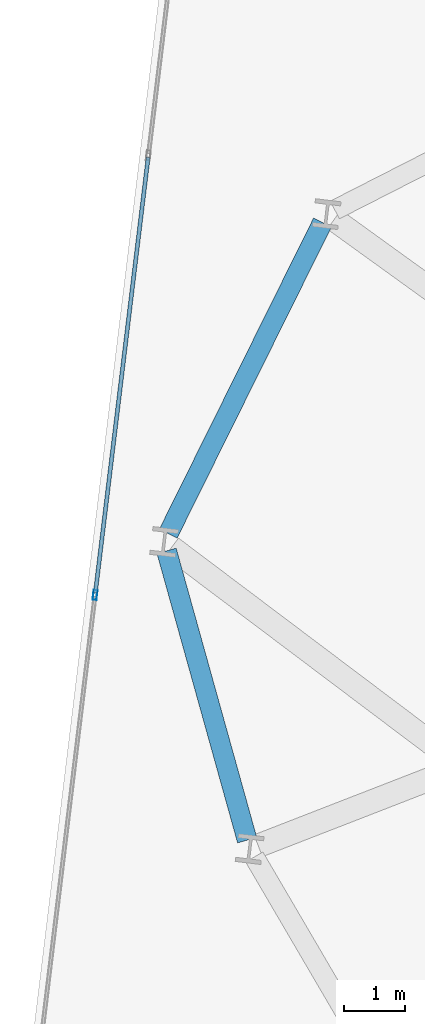
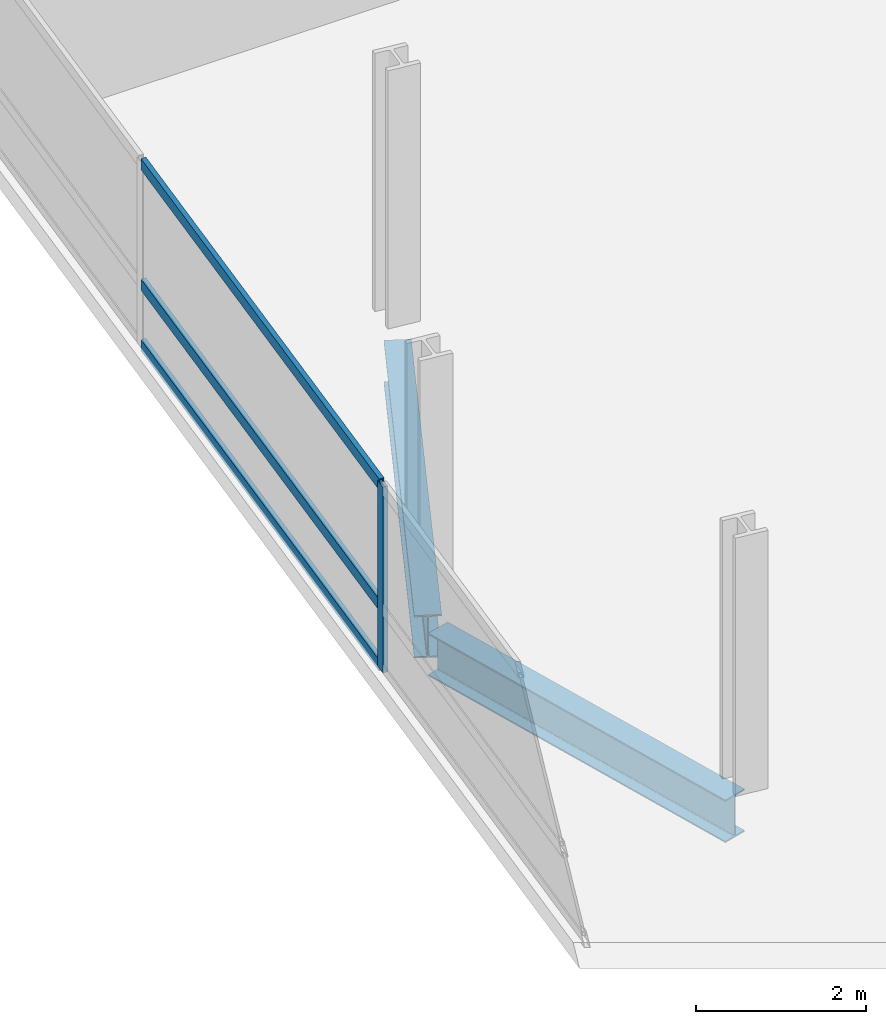
# One storey, part 8 of 26: 4 members, 2 beams, 1 element without a shape of its own.
"""IFC4 building model written with IfcOpenShell, lengths in metres."""

from ifc_helpers import new_model, si_unit, direction, frame, origin, origin_2d, place, context, subcontext, project, spatial, hollow_rectangle, i_section, extrude, material, layer, layer_set, material_profile, profile_set, type_object, element, aggregate, save


model = new_model("IFC4")

# Units and contexts
model_context = context("Model", 3, precision=1e-05, world=origin(), true_north=direction((0.0, 1.0)))
body_context = subcontext(model_context, "Body", "Model", "MODEL_VIEW")
ifc_project = project(units=[si_unit("LENGTHUNIT", "METRE"), si_unit("AREAUNIT", "SQUARE_METRE"), si_unit("VOLUMEUNIT", "CUBIC_METRE"), si_unit("PLANEANGLEUNIT", "RADIAN"), si_unit("MASSUNIT", "GRAM", prefix="KILO")], contexts=[model_context])

# Site, building, storey
site_placement = place(None, origin())
site = spatial("IfcSite", under=ifc_project, at=site_placement, CompositionType="ELEMENT")
building_placement = place(site_placement, origin())
building = spatial("IfcBuilding", under=site, at=building_placement, Name="Varnelok Gate Tower", CompositionType="ELEMENT")
storey_placement = place(building_placement, frame((0.0, 0.0, 158.699951171875)))
storey = spatial("IfcBuildingStorey", under=building, at=storey_placement, Name="L40", CompositionType="ELEMENT", Elevation=158.699951171875)

# Beams
ifc_material_1 = material(Name="Structural Steel ASTM A992 Grade 50", Category="steel")
ifc_material_profile_1 = material_profile(ifc_material_1, i_section(OverallWidth=0.323974609375, OverallDepth=0.611083984375, WebThickness=0.0126953125, FlangeThickness=0.01904296875, FilletRadius=0.01806640625, at=origin_2d()), Name="W24X104")
ifc_profile_set_1 = profile_set([ifc_material_profile_1], Name="Structural Steel ASTM A992 Grade 50")
beam_type = type_object("IfcBeamType", Name="BM-SPN-W24X104", PredefinedType="SPANDREL", material=ifc_profile_set_1)
beam_1_placement = place(storey_placement, frame((6.54052734375, 39.391357421875, -0.555419921875), z_axis=(-0.444186129993, -0.89593452993, 0.0), x_axis=(0.89593452993, -0.444186129993, 0.0)))
element("IfcBeam", 1, at=beam_1_placement, inside=storey, type_object=beam_type, Name="L40 Perimeter Spandrel Beam 14", PredefinedType="SPANDREL", context=body_context, shape_type="SweptSolid", body=[
    extrude(i_section(OverallWidth=0.323974609375, OverallDepth=0.611083984375, WebThickness=0.0126953125, FlangeThickness=0.01904296875, FilletRadius=0.01806640625, at=origin_2d()), origin(), (0.0, 0.0, 1.0), 5.649658203125),
])
beam_2_placement = place(storey_placement, frame((4.004638671875, 34.050537109375, -0.555419921875), z_axis=(0.268350251133, -0.963321411948, 0.0), x_axis=(0.963321411948, 0.268350251133, 0.0)))
element("IfcBeam", 2, at=beam_2_placement, inside=storey, type_object=beam_type, Name="L40 Perimeter Spandrel Beam 15", PredefinedType="SPANDREL", context=body_context, shape_type="SweptSolid", body=[
    extrude(i_section(OverallWidth=0.323974609375, OverallDepth=0.611083984375, WebThickness=0.0126953125, FlangeThickness=0.01904296875, FilletRadius=0.01806640625, at=origin_2d()), origin(), (0.0, 0.0, 1.0), 4.8837890625),
])

# Curtain wall, members
ifc_material_2 = material(Name="Anodized Aluminum Alloy 6063-T6", Category="aluminium")
ifc_layer = layer(ifc_material_2, 0.179931640625)
ifc_layer_set = layer_set([ifc_layer], Name="Anodized Aluminum Alloy 6063-T6")
curtain_wall_type = type_object("IfcCurtainWallType", Name="CW3-HOTEL-VISION", PredefinedType="USERDEFINED", material=ifc_layer_set)
curtain_wall_placement = place(storey_placement, origin())
curtain_wall = element("IfcCurtainWall", 3, at=curtain_wall_placement, inside=storey, type_object=curtain_wall_type, Name="L40 West End Vision Curtain Wall", ObjectType="UNITISED CURTAIN WALL", PredefinedType="USERDEFINED")
ifc_material_profile_2 = material_profile(ifc_material_2, hollow_rectangle(XDim=0.06494140625, YDim=0.159912109375, WallThickness=0.00390625, at=origin_2d()), Name="ALU160X65X4")
ifc_profile_set_2 = profile_set([ifc_material_profile_2], Name="Anodized Aluminum Alloy 6063-T6")
member_type_1 = type_object("IfcMemberType", Name="CW-MULL-160", PredefinedType="MULLION", material=ifc_profile_set_2)
member_1_placement = place(storey_placement, frame((2.842529296875, 33.333740234375, 0.0), z_axis=(0.0, 0.0, 1.0), x_axis=(-0.99273188146, 0.120347046212, 0.0)))
member_1 = element("IfcMember", 4, at=member_1_placement, type_object=member_type_1, Name="CW3 mullion 4", PredefinedType="MULLION", context=body_context, shape_type="SweptSolid", body=[
    extrude(hollow_rectangle(XDim=0.06494140625, YDim=0.159912109375, WallThickness=0.00390625, at=origin_2d()), origin(), (0.0, 0.0, 1.0), 2.66015625),
])
ifc_material_profile_3 = material_profile(ifc_material_2, hollow_rectangle(XDim=0.06494140625, YDim=0.159912109375, WallThickness=0.00390625, at=origin_2d()), Name="ALU160X65X4")
ifc_profile_set_3 = profile_set([ifc_material_profile_3], Name="Anodized Aluminum Alloy 6063-T6")
member_type_2 = type_object("IfcMemberType", Name="CW-TRAN-160", PredefinedType="USERDEFINED", material=ifc_profile_set_3)
member_2_placement = place(storey_placement, frame((2.846435546875, 33.3662109375, 0.032470703125), z_axis=(0.120344652138, 0.992732171687, 0.0), x_axis=(-0.992732171687, 0.120344652138, 0.0)))
member_2 = element("IfcMember", 5, at=member_2_placement, type_object=member_type_2, Name="CW3 transom 4.1", ObjectType="TRANSOM", PredefinedType="USERDEFINED", context=body_context, shape_type="SweptSolid", body=[
    extrude(hollow_rectangle(XDim=0.06494140625, YDim=0.159912109375, WallThickness=0.00390625, at=origin_2d()), origin(), (0.0, 0.0, 1.0), 7.134765625),
])
member_3_placement = place(storey_placement, frame((2.846435546875, 33.3662109375, 0.900146484375), z_axis=(0.120344652138, 0.992732171687, 0.0), x_axis=(-0.992732171687, 0.120344652138, 0.0)))
member_3 = element("IfcMember", 6, at=member_3_placement, type_object=member_type_2, Name="CW3 transom 4.2", ObjectType="TRANSOM", PredefinedType="USERDEFINED", context=body_context, shape_type="SweptSolid", body=[
    extrude(hollow_rectangle(XDim=0.06494140625, YDim=0.159912109375, WallThickness=0.00390625, at=origin_2d()), origin(), (0.0, 0.0, 1.0), 7.134765625),
])
member_4_placement = place(storey_placement, frame((2.846435546875, 33.3662109375, 2.62744140625), z_axis=(0.120344652138, 0.992732171687, 0.0), x_axis=(-0.992732171687, 0.120344652138, 0.0)))
member_4 = element("IfcMember", 7, at=member_4_placement, type_object=member_type_2, Name="CW3 transom 4.3", ObjectType="TRANSOM", PredefinedType="USERDEFINED", context=body_context, shape_type="SweptSolid", body=[
    extrude(hollow_rectangle(XDim=0.06494140625, YDim=0.159912109375, WallThickness=0.00390625, at=origin_2d()), origin(), (0.0, 0.0, 1.0), 7.134765625),
])
aggregate(curtain_wall, [member_1, member_2, member_3, member_4])

save(model, "model.ifc")
